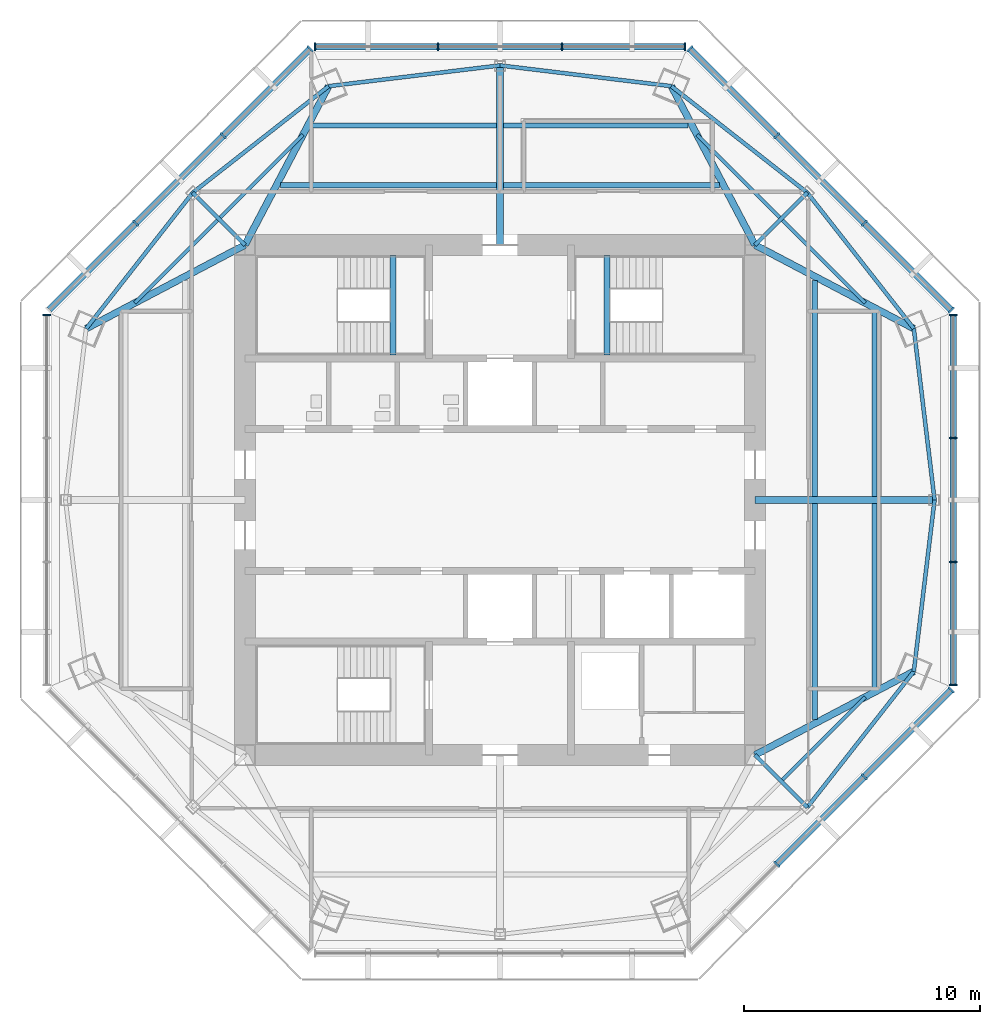
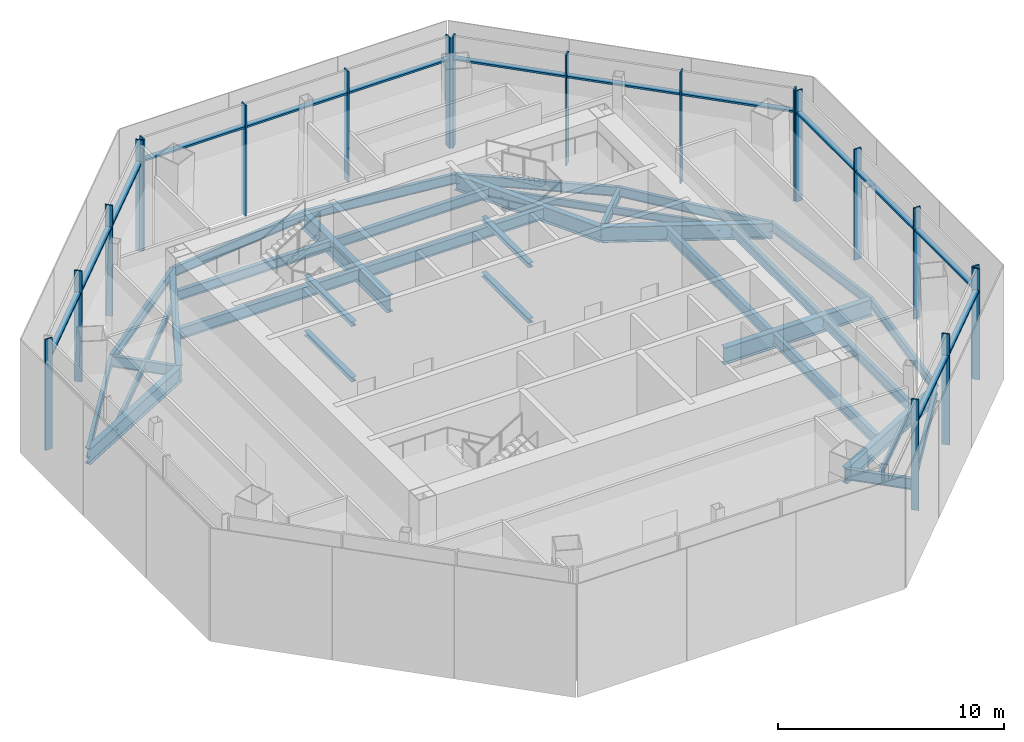
# One storey, part 2 of 11: 36 beams, 33 members, 6 elements without a shape of their own.
"""IFC4 building model written with IfcOpenShell, lengths in metres."""

from ifc_helpers import new_model, si_unit, direction, frame, origin, origin_2d, place, context, subcontext, project, spatial, rectangle, i_section, extrude, source, transform, mapped, material, material_profile, profile_set, type_object, type_shapes, element, aggregate, save


model = new_model("IFC4")

# Units and contexts
model_context = context("Model", 3, precision=1e-05, world=origin(), true_north=direction((0.0, 1.0)))
body_context = subcontext(model_context, "Body", "Model", "MODEL_VIEW")
ifc_project = project(units=[si_unit("LENGTHUNIT", "METRE"), si_unit("AREAUNIT", "SQUARE_METRE"), si_unit("VOLUMEUNIT", "CUBIC_METRE"), si_unit("PLANEANGLEUNIT", "RADIAN"), si_unit("MASSUNIT", "GRAM", prefix="KILO")], contexts=[model_context])

# Site, building, storey
site_placement = place(None, origin())
site = spatial("IfcSite", under=ifc_project, at=site_placement, CompositionType="ELEMENT")
building_placement = place(site_placement, origin())
building = spatial("IfcBuilding", under=site, at=building_placement, Name="Mashrafa Tower", CompositionType="ELEMENT")
storey_placement = place(building_placement, frame((0.0, 0.0, 311.60009765625)))
storey = spatial("IfcBuildingStorey", under=building, at=storey_placement, Name="L77", CompositionType="ELEMENT", Elevation=311.60009765625)

# Beams
ifc_material_1 = material(Name="Steel ASTM A992", Category="steel")
ifc_material_profile_1 = material_profile(ifc_material_1, i_section(OverallWidth=0.140380859375, OverallDepth=0.40380859375, WebThickness=0.007080078125, FlangeThickness=0.01123046875, FilletRadius=0.01025390625, at=origin_2d()), Name="W16X31")
ifc_profile_set_1 = profile_set([ifc_material_profile_1], Name="Steel ASTM A992")
beam_type_1 = type_object("IfcBeamType", Name="Beam W16X31", PredefinedType="BEAM", material=ifc_profile_set_1)
for number, where, z_axis, x_axis, name in (
    (1, (-15.474365234375, 8.34033203125, -0.402099609375), (0.707082147182, 0.707131414333, 0.0), (-0.707131414333, 0.707082147182, 0.0), "Floor beam L77 003"),
    (2, (-11.844482421875, 11.970458984375, -0.402099609375), (0.707131414333, 0.707082147182, 0.0), (-0.707082147182, 0.707131414333, 0.0), "Floor beam L77 007"),
    (3, (8.34033203125, 15.474365234375, -0.402099609375), (0.707131414333, -0.707082147182, 0.0), (0.707082147182, 0.707131414333, 0.0), "Floor beam L77 016"),
    (4, (11.970458984375, 11.844482421875, -0.402099609375), (0.707082147182, -0.707131414333, 0.0), (0.707131414333, 0.707082147182, 0.0), "Floor beam L77 019"),
    (5, (15.474365234375, -8.34033203125, -0.402099609375), (-0.707082147182, -0.707131414333, 0.0), (0.707131414333, -0.707082147182, 0.0), "Floor beam L77 022"),
):
    element("IfcBeam", number, at=place(storey_placement, frame(where, z_axis=z_axis, x_axis=x_axis)), inside=storey, type_object=beam_type_1, Name=name, PredefinedType="BEAM", context=body_context, shape_type="SweptSolid", body=[
        extrude(i_section(OverallWidth=0.140380859375, OverallDepth=0.40380859375, WebThickness=0.007080078125, FlangeThickness=0.01123046875, FilletRadius=0.01025390625, at=origin_2d()), origin(), (0.0, 0.0, 1.0), 4.95556640625),
    ])
ifc_material_2 = material(Name="Steel ASTM A992", Category="steel")
ifc_material_profile_2 = material_profile(ifc_material_2, i_section(OverallWidth=0.1650390625, OverallDepth=0.52587890625, WebThickness=0.0087890625, FlangeThickness=0.011474609375, FilletRadius=0.0126953125, at=origin_2d()), Name="W21X44")
ifc_profile_set_2 = profile_set([ifc_material_profile_2], Name="Steel ASTM A992")
beam_type_2 = type_object("IfcBeamType", Name="Beam W21X44", PredefinedType="BEAM", material=ifc_profile_set_2)
for number, where, z_axis, x_axis, name in (
    (6, (-13.014892578125, 13.014892578125, -0.462890625), (-0.617060498234, -0.786915714368, 0.0), (0.786915714368, -0.617060498234, 0.0), "Spandrel beam L77 045"),
    (7, (-7.260009765625, 17.527587890625, -0.462890625), (-0.786915714368, -0.617060498234, 0.0), (0.617060498234, -0.786915714368, 0.0), "Spandrel beam L77 047"),
):
    element("IfcBeam", number, at=place(storey_placement, frame(where, z_axis=z_axis, x_axis=x_axis)), inside=storey, type_object=beam_type_2, Name=name, PredefinedType="BEAM", context=body_context, shape_type="SweptSolid", body=[
        extrude(i_section(OverallWidth=0.1650390625, OverallDepth=0.52587890625, WebThickness=0.0087890625, FlangeThickness=0.011474609375, FilletRadius=0.0126953125, at=origin_2d()), origin(), (0.0, 0.0, 1.0), 7.313232421875),
    ])
for number, where, z_axis, x_axis, name in (
    (8, (0.0, 18.40576171875, -0.462890625), (-0.992763601422, -0.12008510187, 0.0), (0.12008510187, -0.992763601422, 0.0), "Spandrel beam L77 049"),
    (9, (7.260009765625, 17.527587890625, -0.462890625), (-0.992763601422, 0.12008510187, 0.0), (-0.12008510187, -0.992763601422, 0.0), "Spandrel beam L77 051"),
):
    element("IfcBeam", number, at=place(storey_placement, frame(where, z_axis=z_axis, x_axis=x_axis)), inside=storey, type_object=beam_type_2, Name=name, PredefinedType="BEAM", context=body_context, shape_type="SweptSolid", body=[
        extrude(i_section(OverallWidth=0.1650390625, OverallDepth=0.52587890625, WebThickness=0.0087890625, FlangeThickness=0.011474609375, FilletRadius=0.0126953125, at=origin_2d()), origin(), (0.0, 0.0, 1.0), 7.31298828125),
    ])
for number, where, z_axis, x_axis, name in (
    (10, (13.014892578125, -13.014892578125, -0.462890625), (0.617060498234, 0.786915714368, 0.0), (-0.786915714368, 0.617060498234, 0.0), "Spandrel beam L77 052"),
    (11, (13.014892578125, 13.014892578125, -0.462890625), (-0.786915714368, 0.617060498234, 0.0), (-0.617060498234, -0.786915714368, 0.0), "Spandrel beam L77 053"),
):
    element("IfcBeam", number, at=place(storey_placement, frame(where, z_axis=z_axis, x_axis=x_axis)), inside=storey, type_object=beam_type_2, Name=name, PredefinedType="BEAM", context=body_context, shape_type="SweptSolid", body=[
        extrude(i_section(OverallWidth=0.1650390625, OverallDepth=0.52587890625, WebThickness=0.0087890625, FlangeThickness=0.011474609375, FilletRadius=0.0126953125, at=origin_2d()), origin(), (0.0, 0.0, 1.0), 7.313232421875),
    ])
beam_1_placement = place(storey_placement, frame((17.527587890625, -7.260009765625, -0.462890625), z_axis=(0.12008510187, 0.992763601422, 0.0), x_axis=(-0.992763601422, 0.12008510187, 0.0)))
element("IfcBeam", 12, at=beam_1_placement, inside=storey, type_object=beam_type_2, Name="Spandrel beam L77 054", PredefinedType="BEAM", context=body_context, shape_type="SweptSolid", body=[
    extrude(i_section(OverallWidth=0.1650390625, OverallDepth=0.52587890625, WebThickness=0.0087890625, FlangeThickness=0.011474609375, FilletRadius=0.0126953125, at=origin_2d()), origin(), (0.0, 0.0, 1.0), 7.31298828125),
])
beam_2_placement = place(storey_placement, frame((17.527587890625, 7.260009765625, -0.462890625), z_axis=(-0.617060498234, 0.786915714368, 0.0), x_axis=(-0.786915714368, -0.617060498234, 0.0)))
element("IfcBeam", 13, at=beam_2_placement, inside=storey, type_object=beam_type_2, Name="Spandrel beam L77 055", PredefinedType="BEAM", context=body_context, shape_type="SweptSolid", body=[
    extrude(i_section(OverallWidth=0.1650390625, OverallDepth=0.52587890625, WebThickness=0.0087890625, FlangeThickness=0.011474609375, FilletRadius=0.0126953125, at=origin_2d()), origin(), (0.0, 0.0, 1.0), 7.313232421875),
])
beam_3_placement = place(storey_placement, frame((18.40576171875, 0.0, -0.462890625), z_axis=(-0.12008510187, 0.992763601422, 0.0), x_axis=(-0.992763601422, -0.12008510187, 0.0)))
element("IfcBeam", 14, at=beam_3_placement, inside=storey, type_object=beam_type_2, Name="Spandrel beam L77 056", PredefinedType="BEAM", context=body_context, shape_type="SweptSolid", body=[
    extrude(i_section(OverallWidth=0.1650390625, OverallDepth=0.52587890625, WebThickness=0.0087890625, FlangeThickness=0.011474609375, FilletRadius=0.0126953125, at=origin_2d()), origin(), (0.0, 0.0, 1.0), 7.31298828125),
])
ifc_material_3 = material(Name="Steel ASTM A992", Category="steel")
ifc_material_profile_3 = material_profile(ifc_material_3, i_section(OverallWidth=0.209228515625, OverallDepth=0.533447265625, WebThickness=0.01025390625, FlangeThickness=0.015625, FilletRadius=0.012939453125, at=origin_2d()), Name="W21X62")
ifc_profile_set_3 = profile_set([ifc_material_profile_3], Name="Steel ASTM A992")
beam_type_3 = type_object("IfcBeamType", Name="Beam W21X62", PredefinedType="BEAM", material=ifc_profile_set_3)
for number, where, z_axis, x_axis, name in (
    (15, (-7.967041015625, 15.87060546875, -0.466796875), (1.0, 0.0, 0.0), (0.0, 1.0, 0.0), "Floor beam L77 010"),
    (16, (0.15234375, 15.87060546875, -0.466796875), (1.0, 0.0, 0.0), (0.0, 1.0, 0.0), "Floor beam L77 014"),
    (17, (15.87060546875, -0.15234375, -0.466796875), (0.0, -1.0, 0.0), (1.0, 0.0, 0.0), "Floor beam L77 023"),
    (18, (15.87060546875, 7.967041015625, -0.466796875), (0.0, -1.0, 0.0), (1.0, 0.0, 0.0), "Floor beam L77 024"),
):
    element("IfcBeam", number, at=place(storey_placement, frame(where, z_axis=z_axis, x_axis=x_axis)), inside=storey, type_object=beam_type_3, Name=name, PredefinedType="BEAM", context=body_context, shape_type="SweptSolid", body=[
        extrude(i_section(OverallWidth=0.209228515625, OverallDepth=0.533447265625, WebThickness=0.01025390625, FlangeThickness=0.015625, FilletRadius=0.012939453125, at=origin_2d()), origin(), (0.0, 0.0, 1.0), 7.814697265625),
    ])
ifc_material_4 = material(Name="Steel ASTM A992", Category="steel")
ifc_material_profile_4 = material_profile(ifc_material_4, i_section(OverallWidth=0.177978515625, OverallDepth=0.599365234375, WebThickness=0.010009765625, FlangeThickness=0.012939453125, FilletRadius=0.012939453125, at=origin_2d()), Name="W24X55")
ifc_profile_set_4 = profile_set([ifc_material_profile_4], Name="Steel ASTM A992")
beam_type_4 = type_object("IfcBeamType", Name="Beam W24X55", PredefinedType="BEAM", material=ifc_profile_set_4)
for number, where, z_axis, x_axis, name in (
    (19, (-10.800048828125, 10.800048828125, -0.499755859375), (-0.707106781187, 0.707106781187, 0.0), (-0.707106781187, -0.707106781187, 0.0), "Radial girder L77 030"),
    (20, (10.800048828125, -10.800048828125, -0.499755859375), (0.707106781187, -0.707106781187, 0.0), (0.707106781187, 0.707106781187, 0.0), "Radial girder L77 035"),
    (21, (10.800048828125, 10.800048828125, -0.499755859375), (0.707106781187, 0.707106781187, 0.0), (-0.707106781187, 0.707106781187, 0.0), "Radial girder L77 039"),
):
    element("IfcBeam", number, at=place(storey_placement, frame(where, z_axis=z_axis, x_axis=x_axis)), inside=storey, type_object=beam_type_4, Name=name, PredefinedType="BEAM", context=body_context, shape_type="SweptSolid", body=[
        extrude(i_section(OverallWidth=0.177978515625, OverallDepth=0.599365234375, WebThickness=0.010009765625, FlangeThickness=0.012939453125, FilletRadius=0.012939453125, at=origin_2d()), origin(), (0.0, 0.0, 1.0), 3.13232421875),
    ])
ifc_material_5 = material(Name="Steel ASTM A992", Category="steel")
ifc_material_profile_5 = material_profile(ifc_material_5, i_section(OverallWidth=0.227783203125, OverallDepth=0.60205078125, WebThickness=0.010498046875, FlangeThickness=0.014892578125, FilletRadius=0.012939453125, at=origin_2d()), Name="W24X68")
ifc_profile_set_5 = profile_set([ifc_material_profile_5], Name="Steel ASTM A992")
beam_type_5 = type_object("IfcBeamType", Name="Beam W24X68", PredefinedType="BEAM", material=ifc_profile_set_5)
for number, where, z_axis, x_axis, name in (
    (22, (-9.301025390625, 13.335205078125, -0.5009765625), (1.0, 0.0, 0.0), (0.0, 1.0, 0.0), "Floor beam L77 008"),
    (23, (0.15234375, 13.335205078125, -0.5009765625), (1.0, 0.0, 0.0), (0.0, 1.0, 0.0), "Floor beam L77 013"),
    (24, (13.335205078125, -0.15234375, -0.5009765625), (0.0, -1.0, 0.0), (1.0, 0.0, 0.0), "Floor beam L77 020"),
    (25, (13.335205078125, 9.301025390625, -0.5009765625), (0.0, -1.0, 0.0), (1.0, 0.0, 0.0), "Floor beam L77 021"),
):
    element("IfcBeam", number, at=place(storey_placement, frame(where, z_axis=z_axis, x_axis=x_axis)), inside=storey, type_object=beam_type_5, Name=name, PredefinedType="BEAM", context=body_context, shape_type="SweptSolid", body=[
        extrude(i_section(OverallWidth=0.227783203125, OverallDepth=0.60205078125, WebThickness=0.010498046875, FlangeThickness=0.014892578125, FilletRadius=0.012939453125, at=origin_2d()), origin(), (0.0, 0.0, 1.0), 9.148681640625),
    ])
ifc_material_6 = material(Name="Steel ASTM A992", Category="steel")
ifc_material_profile_6 = material_profile(ifc_material_6, i_section(OverallWidth=0.2919921875, OverallDepth=0.8408203125, WebThickness=0.0146484375, FlangeThickness=0.021728515625, FilletRadius=0.017333984375, at=origin_2d()), Name="W33X130")
ifc_profile_set_6 = profile_set([ifc_material_profile_6], Name="Steel ASTM A992")
beam_type_6 = type_object("IfcBeamType", Name="Beam W33X130", PredefinedType="BEAM", material=ifc_profile_set_6)
for number, where, z_axis, x_axis, name in (
    (26, (-10.800048828125, 10.800048828125, -0.620361328125), (-0.884960017039, -0.465667014337, 0.0), (0.465667014337, -0.884960017039, 0.0), "Radial girder L77 029"),
    (27, (-10.800048828125, 10.800048828125, -0.620361328125), (0.465667014337, 0.884960017039, 0.0), (-0.884960017039, 0.465667014337, 0.0), "Radial girder L77 031"),
    (28, (10.800048828125, -10.800048828125, -0.620361328125), (0.884960017039, 0.465667014337, 0.0), (-0.465667014337, 0.884960017039, 0.0), "Radial girder L77 036"),
    (29, (10.800048828125, 10.800048828125, -0.620361328125), (-0.465667014337, 0.884960017039, 0.0), (-0.884960017039, -0.465667014337, 0.0), "Radial girder L77 038"),
    (30, (10.800048828125, 10.800048828125, -0.620361328125), (0.884960017039, -0.465667014337, 0.0), (0.465667014337, 0.884960017039, 0.0), "Radial girder L77 040"),
):
    element("IfcBeam", number, at=place(storey_placement, frame(where, z_axis=z_axis, x_axis=x_axis)), inside=storey, type_object=beam_type_6, Name=name, PredefinedType="BEAM", context=body_context, shape_type="SweptSolid", body=[
        extrude(i_section(OverallWidth=0.2919921875, OverallDepth=0.8408203125, WebThickness=0.0146484375, FlangeThickness=0.021728515625, FilletRadius=0.017333984375, at=origin_2d()), origin(), (0.0, 0.0, 1.0), 7.60205078125),
    ])
ifc_material_7 = material(Name="Steel ASTM A992", Category="steel")
ifc_material_profile_7 = material_profile(ifc_material_7, i_section(OverallWidth=0.3046875, OverallDepth=0.911865234375, WebThickness=0.015869140625, FlangeThickness=0.02392578125, FilletRadius=0.01904296875, at=origin_2d()), Name="W36X150")
ifc_profile_set_7 = profile_set([ifc_material_profile_7], Name="Steel ASTM A992")
beam_type_7 = type_object("IfcBeamType", Name="Beam W36X150", PredefinedType="BEAM", material=ifc_profile_set_7)
for number, where, z_axis, x_axis, name in (
    (31, (0.0, 10.800048828125, -0.656005859375), (0.0, 1.0, 0.0), (-1.0, 0.0, 0.0), "Radial girder L77 033"),
    (32, (10.800048828125, 0.0, -0.656005859375), (1.0, 0.0, 0.0), (0.0, 1.0, 0.0), "Radial girder L77 037"),
):
    element("IfcBeam", number, at=place(storey_placement, frame(where, z_axis=z_axis, x_axis=x_axis)), inside=storey, type_object=beam_type_7, Name=name, PredefinedType="BEAM", context=body_context, shape_type="SweptSolid", body=[
        extrude(i_section(OverallWidth=0.3046875, OverallDepth=0.911865234375, WebThickness=0.015869140625, FlangeThickness=0.02392578125, FilletRadius=0.01904296875, at=origin_2d()), origin(), (0.0, 0.0, 1.0), 7.605712890625),
    ])
ifc_material_8 = material(Name="Steel ASTM A992", Category="steel")
ifc_material_profile_8 = material_profile(ifc_material_8, i_section(OverallWidth=0.25390625, OverallDepth=0.25390625, WebThickness=0.008544921875, FlangeThickness=0.01416015625, FilletRadius=0.010009765625, at=origin_2d()), Name="W10X49")
ifc_profile_set_8 = profile_set([ifc_material_profile_8], Name="Steel ASTM A992")
beam_type_8 = type_object("IfcBeamType", Name="Hoistway beam W10X49", PredefinedType="BEAM", material=ifc_profile_set_8)
for number, where, z_axis, x_axis, name in (
    (33, (-4.530029296875, 6.14990234375, -0.3271484375), (0.0, 1.0, 0.0), (-1.0, 0.0, 0.0), "Stair S1 landing beam L77"),
    (34, (-4.530029296875, 6.14990234375, 2.6728515625), (0.0, 1.0, 0.0), (-1.0, 0.0, 0.0), "Stair S1 landing beam L77"),
    (35, (4.530029296875, 6.14990234375, -0.3271484375), (0.0, 1.0, 0.0), (-1.0, 0.0, 0.0), "Stair S2 landing beam L77"),
    (36, (4.530029296875, 6.14990234375, 2.6728515625), (0.0, 1.0, 0.0), (-1.0, 0.0, 0.0), "Stair S2 landing beam L77"),
):
    element("IfcBeam", number, at=place(storey_placement, frame(where, z_axis=z_axis, x_axis=x_axis)), inside=storey, type_object=beam_type_8, Name=name, PredefinedType="BEAM", context=body_context, shape_type="SweptSolid", body=[
        extrude(i_section(OverallWidth=0.25390625, OverallDepth=0.25390625, WebThickness=0.008544921875, FlangeThickness=0.01416015625, FilletRadius=0.010009765625, at=origin_2d()), origin(), (0.0, 0.0, 1.0), 4.2001953125),
    ])

# Curtain wall, members
ifc_material_9 = material(Name="Unitised aluminium curtain wall", Category="aluminium")
curtain_wall_type = type_object("IfcCurtainWallType", Name="Observation curtain wall CW-F 350 deep", PredefinedType="NOTDEFINED", material=ifc_material_9)
curtain_wall_1_placement = place(storey_placement, origin())
curtain_wall_1 = element("IfcCurtainWall", 37, at=curtain_wall_1_placement, inside=storey, type_object=curtain_wall_type, Name="Observation curtain wall L77 east", PredefinedType="NOTDEFINED")
ifc_material_10 = material(Name="Extruded aluminium mullion", Category="aluminium")
ifc_material_profile_9 = material_profile(ifc_material_10, rectangle(XDim=0.35009765625, YDim=0.074951171875, at=origin_2d()), Name="Mullion 75x350")
ifc_profile_set_9 = profile_set([ifc_material_profile_9], Name="Extruded aluminium mullion")
member_type_1 = type_object("IfcMemberType", Name="Mullion CW-F 75 x 350", PredefinedType="MULLION", material=ifc_profile_set_9)
shared_shape_1 = source(origin(), body_context, "Body", "SweptSolid", [
    extrude(rectangle(XDim=0.35009765625, YDim=0.074951171875, at=origin_2d()), origin(), (0.0, 0.0, 1.0), 6.0),
])
type_shapes(member_type_1, [shared_shape_1])
member_1_placement = place(storey_placement, frame((19.199951171875, -7.8330078125, 0.0), z_axis=(0.0, 0.0, 1.0), x_axis=(-1.0, 0.0, 0.0)))
member_1 = element("IfcMember", 38, at=member_1_placement, type_object=member_type_1, Name="CW-F mullion 1", PredefinedType="MULLION", context=body_context, shape_type="MappedRepresentation", body=[
    mapped(shared_shape_1, transform((0.0, 0.0, 0.0))),
])
member_2_placement = place(storey_placement, frame((19.199951171875, -2.62353515625, 0.0), z_axis=(0.0, 0.0, 1.0), x_axis=(-1.0, 0.0, 0.0)))
member_2 = element("IfcMember", 39, at=member_2_placement, type_object=member_type_1, Name="CW-F mullion 2", PredefinedType="MULLION", context=body_context, shape_type="MappedRepresentation", body=[
    mapped(shared_shape_1, transform((0.0, 0.0, 0.0))),
])
member_3_placement = place(storey_placement, frame((19.199951171875, 2.62353515625, 0.0), z_axis=(0.0, 0.0, 1.0), x_axis=(-1.0, 0.0, 0.0)))
member_3 = element("IfcMember", 40, at=member_3_placement, type_object=member_type_1, Name="CW-F mullion 3", PredefinedType="MULLION", context=body_context, shape_type="MappedRepresentation", body=[
    mapped(shared_shape_1, transform((0.0, 0.0, 0.0))),
])
member_4_placement = place(storey_placement, frame((19.199951171875, 7.8330078125, 0.0), z_axis=(0.0, 0.0, 1.0), x_axis=(-1.0, 0.0, 0.0)))
member_4 = element("IfcMember", 41, at=member_4_placement, type_object=member_type_1, Name="CW-F mullion 4", PredefinedType="MULLION", context=body_context, shape_type="MappedRepresentation", body=[
    mapped(shared_shape_1, transform((0.0, 0.0, 0.0))),
])

curtain_wall_2_placement = place(storey_placement, origin())
curtain_wall_2 = element("IfcCurtainWall", 42, at=curtain_wall_2_placement, inside=storey, type_object=curtain_wall_type, Name="Observation curtain wall L77 north-east", PredefinedType="NOTDEFINED")
member_5_placement = place(storey_placement, frame((19.115234375, 8.037841796875, 0.0), z_axis=(0.0, 0.0, 1.0), x_axis=(-0.707106781187, -0.707106781187, 0.0)))
member_5 = element("IfcMember", 43, at=member_5_placement, type_object=member_type_1, Name="CW-F mullion 1", PredefinedType="MULLION", context=body_context, shape_type="MappedRepresentation", body=[
    mapped(shared_shape_1, transform((0.0, 0.0, 0.0))),
])
member_6_placement = place(storey_placement, frame((15.431640625, 11.721435546875, 0.0), z_axis=(0.0, 0.0, 1.0), x_axis=(-0.707106781187, -0.707106781187, 0.0)))
member_6 = element("IfcMember", 44, at=member_6_placement, type_object=member_type_1, Name="CW-F mullion 2", PredefinedType="MULLION", context=body_context, shape_type="MappedRepresentation", body=[
    mapped(shared_shape_1, transform((0.0, 0.0, 0.0))),
])
member_7_placement = place(storey_placement, frame((11.721435546875, 15.431640625, 0.0), z_axis=(0.0, 0.0, 1.0), x_axis=(-0.707106781187, -0.707106781187, 0.0)))
member_7 = element("IfcMember", 45, at=member_7_placement, type_object=member_type_1, Name="CW-F mullion 3", PredefinedType="MULLION", context=body_context, shape_type="MappedRepresentation", body=[
    mapped(shared_shape_1, transform((0.0, 0.0, 0.0))),
])
member_8_placement = place(storey_placement, frame((8.037841796875, 19.115234375, 0.0), z_axis=(0.0, 0.0, 1.0), x_axis=(-0.707106781187, -0.707106781187, 0.0)))
member_8 = element("IfcMember", 46, at=member_8_placement, type_object=member_type_1, Name="CW-F mullion 4", PredefinedType="MULLION", context=body_context, shape_type="MappedRepresentation", body=[
    mapped(shared_shape_1, transform((0.0, 0.0, 0.0))),
])

curtain_wall_3_placement = place(storey_placement, origin())
curtain_wall_3 = element("IfcCurtainWall", 47, at=curtain_wall_3_placement, inside=storey, type_object=curtain_wall_type, Name="Observation curtain wall L77 north", PredefinedType="NOTDEFINED")
member_9_placement = place(storey_placement, frame((7.8330078125, 19.199951171875, 0.0), z_axis=(0.0, 0.0, 1.0), x_axis=(0.0, -1.0, 0.0)))
member_9 = element("IfcMember", 48, at=member_9_placement, type_object=member_type_1, Name="CW-F mullion 1", PredefinedType="MULLION", context=body_context, shape_type="MappedRepresentation", body=[
    mapped(shared_shape_1, transform((0.0, 0.0, 0.0))),
])
member_10_placement = place(storey_placement, frame((2.62353515625, 19.199951171875, 0.0), z_axis=(0.0, 0.0, 1.0), x_axis=(0.0, -1.0, 0.0)))
member_10 = element("IfcMember", 49, at=member_10_placement, type_object=member_type_1, Name="CW-F mullion 2", PredefinedType="MULLION", context=body_context, shape_type="MappedRepresentation", body=[
    mapped(shared_shape_1, transform((0.0, 0.0, 0.0))),
])
member_11_placement = place(storey_placement, frame((-2.62353515625, 19.199951171875, 0.0), z_axis=(0.0, 0.0, 1.0), x_axis=(0.0, -1.0, 0.0)))
member_11 = element("IfcMember", 50, at=member_11_placement, type_object=member_type_1, Name="CW-F mullion 3", PredefinedType="MULLION", context=body_context, shape_type="MappedRepresentation", body=[
    mapped(shared_shape_1, transform((0.0, 0.0, 0.0))),
])
member_12_placement = place(storey_placement, frame((-7.8330078125, 19.199951171875, 0.0), z_axis=(0.0, 0.0, 1.0), x_axis=(0.0, -1.0, 0.0)))
member_12 = element("IfcMember", 51, at=member_12_placement, type_object=member_type_1, Name="CW-F mullion 4", PredefinedType="MULLION", context=body_context, shape_type="MappedRepresentation", body=[
    mapped(shared_shape_1, transform((0.0, 0.0, 0.0))),
])

curtain_wall_4_placement = place(storey_placement, origin())
curtain_wall_4 = element("IfcCurtainWall", 52, at=curtain_wall_4_placement, inside=storey, type_object=curtain_wall_type, Name="Observation curtain wall L77 north-west", PredefinedType="NOTDEFINED")
member_13_placement = place(storey_placement, frame((-8.037841796875, 19.115234375, 0.0), z_axis=(0.0, 0.0, 1.0), x_axis=(0.707106781187, -0.707106781187, 0.0)))
member_13 = element("IfcMember", 53, at=member_13_placement, type_object=member_type_1, Name="CW-F mullion 1", PredefinedType="MULLION", context=body_context, shape_type="MappedRepresentation", body=[
    mapped(shared_shape_1, transform((0.0, 0.0, 0.0))),
])
member_14_placement = place(storey_placement, frame((-11.721435546875, 15.431640625, 0.0), z_axis=(0.0, 0.0, 1.0), x_axis=(0.707106781187, -0.707106781187, 0.0)))
member_14 = element("IfcMember", 54, at=member_14_placement, type_object=member_type_1, Name="CW-F mullion 2", PredefinedType="MULLION", context=body_context, shape_type="MappedRepresentation", body=[
    mapped(shared_shape_1, transform((0.0, 0.0, 0.0))),
])
member_15_placement = place(storey_placement, frame((-15.431640625, 11.721435546875, 0.0), z_axis=(0.0, 0.0, 1.0), x_axis=(0.707106781187, -0.707106781187, 0.0)))
member_15 = element("IfcMember", 55, at=member_15_placement, type_object=member_type_1, Name="CW-F mullion 3", PredefinedType="MULLION", context=body_context, shape_type="MappedRepresentation", body=[
    mapped(shared_shape_1, transform((0.0, 0.0, 0.0))),
])

# Curtain wall, member
curtain_wall_5_placement = place(storey_placement, origin())
curtain_wall_5 = element("IfcCurtainWall", 56, at=curtain_wall_5_placement, inside=storey, type_object=curtain_wall_type, Name="Observation curtain wall L77 west", PredefinedType="NOTDEFINED")
member_16_placement = place(storey_placement, frame((-19.199951171875, 7.8330078125, 0.0), z_axis=(0.0, 0.0, 1.0), x_axis=(1.0, 0.0, 0.0)))
member_16 = element("IfcMember", 57, at=member_16_placement, type_object=member_type_1, Name="CW-F mullion 1", PredefinedType="MULLION", context=body_context, shape_type="MappedRepresentation", body=[
    mapped(shared_shape_1, transform((0.0, 0.0, 0.0))),
])
aggregate(curtain_wall_5, [member_16])

# Curtain wall, members
curtain_wall_6_placement = place(storey_placement, origin())
curtain_wall_6 = element("IfcCurtainWall", 58, at=curtain_wall_6_placement, inside=storey, type_object=curtain_wall_type, Name="Observation curtain wall L77 south-east", PredefinedType="NOTDEFINED")
member_17_placement = place(storey_placement, frame((11.721435546875, -15.431640625, 0.0), z_axis=(0.0, 0.0, 1.0), x_axis=(-0.707106781187, 0.707106781187, 0.0)))
member_17 = element("IfcMember", 59, at=member_17_placement, type_object=member_type_1, Name="CW-F mullion 2", PredefinedType="MULLION", context=body_context, shape_type="MappedRepresentation", body=[
    mapped(shared_shape_1, transform((0.0, 0.0, 0.0))),
])
member_18_placement = place(storey_placement, frame((15.431640625, -11.721435546875, 0.0), z_axis=(0.0, 0.0, 1.0), x_axis=(-0.707106781187, 0.707106781187, 0.0)))
member_18 = element("IfcMember", 60, at=member_18_placement, type_object=member_type_1, Name="CW-F mullion 3", PredefinedType="MULLION", context=body_context, shape_type="MappedRepresentation", body=[
    mapped(shared_shape_1, transform((0.0, 0.0, 0.0))),
])
member_19_placement = place(storey_placement, frame((19.115234375, -8.037841796875, 0.0), z_axis=(0.0, 0.0, 1.0), x_axis=(-0.707106781187, 0.707106781187, 0.0)))
member_19 = element("IfcMember", 61, at=member_19_placement, type_object=member_type_1, Name="CW-F mullion 4", PredefinedType="MULLION", context=body_context, shape_type="MappedRepresentation", body=[
    mapped(shared_shape_1, transform((0.0, 0.0, 0.0))),
])

# Member
ifc_material_11 = material(Name="Extruded aluminium transom", Category="aluminium")
ifc_material_profile_10 = material_profile(ifc_material_11, rectangle(XDim=0.280029296875, YDim=0.10009765625, at=origin_2d()), Name="Transom 100x280")
ifc_profile_set_10 = profile_set([ifc_material_profile_10], Name="Extruded aluminium transom")
member_type_2 = type_object("IfcMemberType", Name="Transom CW-F 100 x 280", PredefinedType="MULLION", material=ifc_profile_set_10)
shared_shape_2 = source(origin(), body_context, "Body", "SweptSolid", [
    extrude(rectangle(XDim=0.280029296875, YDim=0.10009765625, at=origin_2d()), origin(), (0.0, 0.0, 1.0), 5.134521484375),
])
member_20_placement = place(storey_placement, frame((19.199951171875, -7.79541015625, 4.7998046875), z_axis=(0.0, 1.0, 0.0), x_axis=(-1.0, 0.0, 0.0)))
member_20 = element("IfcMember", 62, at=member_20_placement, type_object=member_type_2, Name="CW-F transom 1", PredefinedType="MULLION", context=body_context, shape_type="MappedRepresentation", body=[
    mapped(shared_shape_2, transform((0.0, 0.0, 0.0))),
])

member_21_placement = place(storey_placement, frame((19.199951171875, 2.660888671875, 4.7998046875), z_axis=(0.0, 1.0, 0.0), x_axis=(-1.0, 0.0, 0.0)))
member_21 = element("IfcMember", 63, at=member_21_placement, type_object=member_type_2, Name="CW-F transom 3", PredefinedType="MULLION", context=body_context, shape_type="MappedRepresentation", body=[
    mapped(shared_shape_2, transform((0.0, 0.0, 0.0))),
])

member_22_placement = place(storey_placement, frame((19.088623046875, 8.064208984375, 4.7998046875), z_axis=(-0.707106781187, 0.707106781187, 0.0), x_axis=(-0.707106781187, -0.707106781187, 0.0)))
member_22 = element("IfcMember", 64, at=member_22_placement, type_object=member_type_2, Name="CW-F transom 1", PredefinedType="MULLION", context=body_context, shape_type="MappedRepresentation", body=[
    mapped(shared_shape_2, transform((0.0, 0.0, 0.0))),
])

member_23_placement = place(storey_placement, frame((11.69482421875, 15.4580078125, 4.7998046875), z_axis=(-0.707106781187, 0.707106781187, 0.0), x_axis=(-0.707106781187, -0.707106781187, 0.0)))
member_23 = element("IfcMember", 65, at=member_23_placement, type_object=member_type_2, Name="CW-F transom 3", PredefinedType="MULLION", context=body_context, shape_type="MappedRepresentation", body=[
    mapped(shared_shape_2, transform((0.0, 0.0, 0.0))),
])

member_24_placement = place(storey_placement, frame((7.79541015625, 19.199951171875, 4.7998046875), z_axis=(-1.0, 0.0, 0.0), x_axis=(0.0, -1.0, 0.0)))
member_24 = element("IfcMember", 66, at=member_24_placement, type_object=member_type_2, Name="CW-F transom 1", PredefinedType="MULLION", context=body_context, shape_type="MappedRepresentation", body=[
    mapped(shared_shape_2, transform((0.0, 0.0, 0.0))),
])

member_25_placement = place(storey_placement, frame((-2.660888671875, 19.199951171875, 4.7998046875), z_axis=(-1.0, 0.0, 0.0), x_axis=(0.0, -1.0, 0.0)))
member_25 = element("IfcMember", 67, at=member_25_placement, type_object=member_type_2, Name="CW-F transom 3", PredefinedType="MULLION", context=body_context, shape_type="MappedRepresentation", body=[
    mapped(shared_shape_2, transform((0.0, 0.0, 0.0))),
])

member_26_placement = place(storey_placement, frame((-8.064208984375, 19.088623046875, 4.7998046875), z_axis=(-0.707106781187, -0.707106781187, 0.0), x_axis=(0.707106781187, -0.707106781187, 0.0)))
member_26 = element("IfcMember", 68, at=member_26_placement, type_object=member_type_2, Name="CW-F transom 1", PredefinedType="MULLION", context=body_context, shape_type="MappedRepresentation", body=[
    mapped(shared_shape_2, transform((0.0, 0.0, 0.0))),
])

member_27_placement = place(storey_placement, frame((-15.4580078125, 11.69482421875, 4.7998046875), z_axis=(-0.707106781187, -0.707106781187, 0.0), x_axis=(0.707106781187, -0.707106781187, 0.0)))
member_27 = element("IfcMember", 69, at=member_27_placement, type_object=member_type_2, Name="CW-F transom 3", PredefinedType="MULLION", context=body_context, shape_type="MappedRepresentation", body=[
    mapped(shared_shape_2, transform((0.0, 0.0, 0.0))),
])

member_28_placement = place(storey_placement, frame((15.4580078125, -11.69482421875, 4.7998046875), z_axis=(0.707106781187, 0.707106781187, 0.0), x_axis=(-0.707106781187, 0.707106781187, 0.0)))
member_28 = element("IfcMember", 70, at=member_28_placement, type_object=member_type_2, Name="CW-F transom 3", PredefinedType="MULLION", context=body_context, shape_type="MappedRepresentation", body=[
    mapped(shared_shape_2, transform((0.0, 0.0, 0.0))),
])

shared_shape_3 = source(origin(), body_context, "Body", "SweptSolid", [
    extrude(rectangle(XDim=0.280029296875, YDim=0.10009765625, at=origin_2d()), origin(), (0.0, 0.0, 1.0), 5.171875),
])
member_29_placement = place(storey_placement, frame((19.199951171875, -2.5859375, 4.7998046875), z_axis=(0.0, 1.0, 0.0), x_axis=(-1.0, 0.0, 0.0)))
member_29 = element("IfcMember", 71, at=member_29_placement, type_object=member_type_2, Name="CW-F transom 2", PredefinedType="MULLION", context=body_context, shape_type="MappedRepresentation", body=[
    mapped(shared_shape_3, transform((0.0, 0.0, 0.0))),
])

aggregate(curtain_wall_1, [member_1, member_2, member_3, member_4, member_20, member_29, member_21])

member_30_placement = place(storey_placement, frame((2.5859375, 19.199951171875, 4.7998046875), z_axis=(-1.0, 0.0, 0.0), x_axis=(0.0, -1.0, 0.0)))
member_30 = element("IfcMember", 72, at=member_30_placement, type_object=member_type_2, Name="CW-F transom 2", PredefinedType="MULLION", context=body_context, shape_type="MappedRepresentation", body=[
    mapped(shared_shape_3, transform((0.0, 0.0, 0.0))),
])

aggregate(curtain_wall_3, [member_9, member_10, member_11, member_12, member_24, member_30, member_25])

shared_shape_4 = source(origin(), body_context, "Body", "SweptSolid", [
    extrude(rectangle(XDim=0.280029296875, YDim=0.10009765625, at=origin_2d()), origin(), (0.0, 0.0, 1.0), 5.172119140625),
])
type_shapes(member_type_2, [shared_shape_2, shared_shape_3, shared_shape_4])
member_31_placement = place(storey_placement, frame((15.405029296875, 11.747802734375, 4.7998046875), z_axis=(-0.707106781187, 0.707106781187, 0.0), x_axis=(-0.707106781187, -0.707106781187, 0.0)))
member_31 = element("IfcMember", 73, at=member_31_placement, type_object=member_type_2, Name="CW-F transom 2", PredefinedType="MULLION", context=body_context, shape_type="MappedRepresentation", body=[
    mapped(shared_shape_4, transform((0.0, 0.0, 0.0))),
])

aggregate(curtain_wall_2, [member_5, member_6, member_7, member_8, member_22, member_31, member_23])

member_32_placement = place(storey_placement, frame((-11.747802734375, 15.405029296875, 4.7998046875), z_axis=(-0.707106781187, -0.707106781187, 0.0), x_axis=(0.707106781187, -0.707106781187, 0.0)))
member_32 = element("IfcMember", 74, at=member_32_placement, type_object=member_type_2, Name="CW-F transom 2", PredefinedType="MULLION", context=body_context, shape_type="MappedRepresentation", body=[
    mapped(shared_shape_4, transform((0.0, 0.0, 0.0))),
])

aggregate(curtain_wall_4, [member_13, member_14, member_15, member_26, member_32, member_27])

member_33_placement = place(storey_placement, frame((11.747802734375, -15.405029296875, 4.7998046875), z_axis=(0.707106781187, 0.707106781187, 0.0), x_axis=(-0.707106781187, 0.707106781187, 0.0)))
member_33 = element("IfcMember", 75, at=member_33_placement, type_object=member_type_2, Name="CW-F transom 2", PredefinedType="MULLION", context=body_context, shape_type="MappedRepresentation", body=[
    mapped(shared_shape_4, transform((0.0, 0.0, 0.0))),
])

aggregate(curtain_wall_6, [member_17, member_18, member_19, member_33, member_28])

save(model, "model.ifc")
